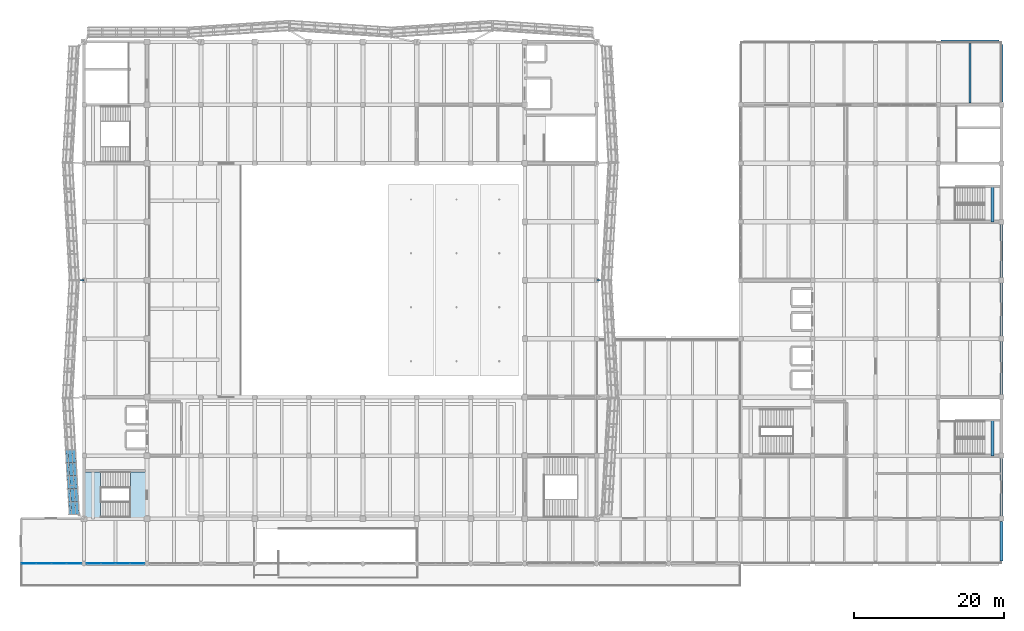
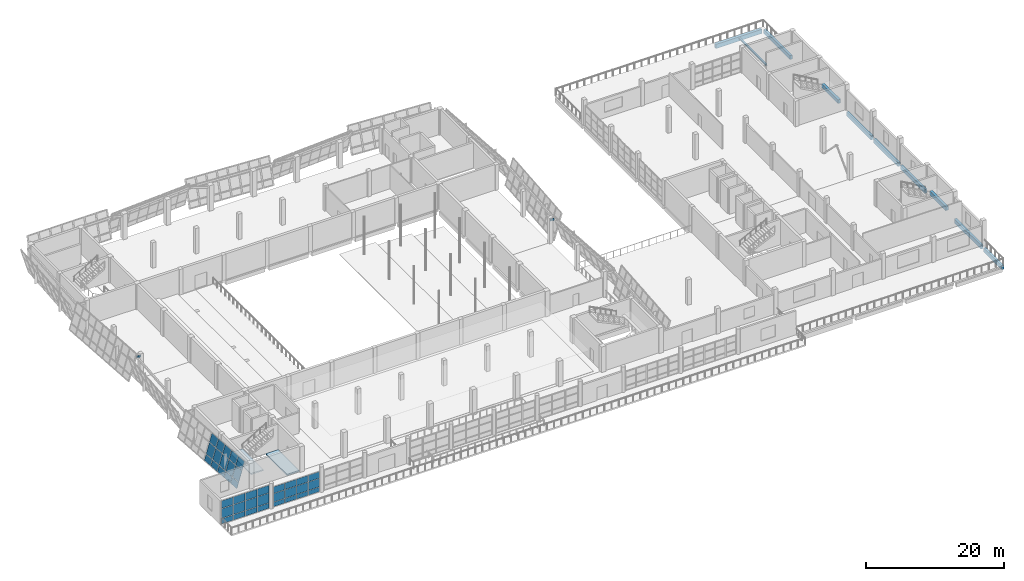
# One storey, part 37 of 71: 39 plates, 12 beams, 2 slabs, 4 elements without a shape of their own.
"""IFC4 building model written with IfcOpenShell, lengths in metres."""

from ifc_helpers import new_model, si_unit, direction, frame, origin, origin_2d, place, context, subcontext, project, spatial, polyline, rectangle, hollow_rectangle, i_section, outline, extrude, material, layer, layer_set, material_profile, profile_set, type_object, element, aggregate, save


model = new_model("IFC4")

# Units and contexts
model_context = context("Model", 3, precision=1e-05, world=origin(), true_north=direction((0.0, 1.0)))
body_context = subcontext(model_context, "Body", "Model", "MODEL_VIEW")
ifc_project = project(units=[si_unit("LENGTHUNIT", "METRE"), si_unit("AREAUNIT", "SQUARE_METRE"), si_unit("VOLUMEUNIT", "CUBIC_METRE"), si_unit("PLANEANGLEUNIT", "RADIAN"), si_unit("MASSUNIT", "GRAM", prefix="KILO")], contexts=[model_context])

# Site, building, storey
site_placement = place(None, origin())
site = spatial("IfcSite", under=ifc_project, at=site_placement, CompositionType="ELEMENT")
building_placement = place(site_placement, origin())
building = spatial("IfcBuilding", under=site, at=building_placement, Name="Pellamere Symphony Hall", CompositionType="ELEMENT")
storey_placement = place(building_placement, frame((0.0, 0.0, 15.0)))
storey = spatial("IfcBuildingStorey", under=building, at=storey_placement, Name="L03", CompositionType="ELEMENT", Elevation=15.0)

# Beams
ifc_material_1 = material(Name="Concrete 40 MPa", Category="concrete")
ifc_material_profile_1 = material_profile(ifc_material_1, rectangle(XDim=0.449951171875, YDim=0.64990234375, at=origin_2d()), Name="RC 450x650")
ifc_profile_set_1 = profile_set([ifc_material_profile_1], Name="Concrete 40 MPa")
beam_type_1 = type_object("IfcBeamType", Name="RC CB-08 450x650", PredefinedType="BEAM", material=ifc_profile_set_1)
for number, where, z_axis, x_axis, name in (
    (1, (171.607421875, 69.580078125, 1.705078125), (0.0, 1.0, 0.0), (-1.0, 0.0, 0.0), "Stair ST05-L03 Half Landing Support Beam (L03)"),
    (2, (171.607421875, 38.3798828125, 1.705078125), (0.0, 1.0, 0.0), (-1.0, 0.0, 0.0), "Stair ST06-L03 Half Landing Support Beam (L03)"),
):
    element("IfcBeam", number, at=place(storey_placement, frame(where, z_axis=z_axis, x_axis=x_axis)), inside=storey, type_object=beam_type_1, Name=name, PredefinedType="BEAM", context=body_context, shape_type="SweptSolid", body=[
        extrude(rectangle(XDim=0.449951171875, YDim=0.64990234375, at=origin_2d()), origin(), (0.0, 0.0, 1.0), 4.780029296875),
    ])
ifc_material_profile_2 = material_profile(ifc_material_1, rectangle(XDim=0.449951171875, YDim=0.75, at=origin_2d()), Name="RC 450x750")
ifc_profile_set_2 = profile_set([ifc_material_profile_2], Name="Concrete 40 MPa")
beam_type_2 = type_object("IfcBeamType", Name="RC CB-12 450x750", PredefinedType="SPANDREL", material=ifc_profile_set_2)
beam_1_placement = place(storey_placement, frame((164.72509765625, 93.60009765625, -0.635009765625), z_axis=(1.0, 0.0, 0.0), x_axis=(0.0, 1.0, 0.0)))
element("IfcBeam", 3, at=beam_1_placement, inside=storey, type_object=beam_type_2, Name="Girder CB-12-X1605 (L03)", PredefinedType="SPANDREL", context=body_context, shape_type="SweptSolid", body=[
    extrude(rectangle(XDim=0.449951171875, YDim=0.75, at=origin_2d()), origin(), (0.0, 0.0, 1.0), 7.71484375),
])
ifc_material_profile_3 = material_profile(ifc_material_1, rectangle(XDim=0.39990234375, YDim=0.699951171875, at=origin_2d()), Name="RC 400x700")
ifc_profile_set_3 = profile_set([ifc_material_profile_3], Name="Concrete 40 MPa")
beam_type_3 = type_object("IfcBeamType", Name="RC CB-13 400x700", PredefinedType="SPANDREL", material=ifc_profile_set_3)
beam_2_placement = place(storey_placement, frame((172.800048828125, 24.360107421875, -0.610107421875), z_axis=(0.0, 1.0, 0.0), x_axis=(-1.0, 0.0, 0.0)))
element("IfcBeam", 4, at=beam_2_placement, inside=storey, type_object=beam_type_3, Name="Girder CB-13-Y1706 (L03)", PredefinedType="SPANDREL", context=body_context, shape_type="SweptSolid", body=[
    extrude(rectangle(XDim=0.39990234375, YDim=0.699951171875, at=origin_2d()), origin(), (0.0, 0.0, 1.0), 5.27978515625),
])
beam_3_placement = place(storey_placement, frame((172.800048828125, 30.360107421875, -0.610107421875), z_axis=(0.0, 1.0, 0.0), x_axis=(-1.0, 0.0, 0.0)))
element("IfcBeam", 5, at=beam_3_placement, inside=storey, type_object=beam_type_3, Name="Girder CB-13-Y1707 (L03)", PredefinedType="SPANDREL", context=body_context, shape_type="SweptSolid", body=[
    extrude(rectangle(XDim=0.39990234375, YDim=0.699951171875, at=origin_2d()), origin(), (0.0, 0.0, 1.0), 7.679931640625),
])
for number, where, z_axis, x_axis, name in (
    (6, (172.800048828125, 46.56005859375, -0.610107421875), (0.0, 1.0, 0.0), (-1.0, 0.0, 0.0), "Girder CB-13-Y1708 (L03)"),
    (7, (172.800048828125, 54.360107421875, -0.610107421875), (0.0, 1.0, 0.0), (-1.0, 0.0, 0.0), "Girder CB-13-Y1709 (L03)"),
):
    element("IfcBeam", number, at=place(storey_placement, frame(where, z_axis=z_axis, x_axis=x_axis)), inside=storey, type_object=beam_type_3, Name=name, PredefinedType="SPANDREL", context=body_context, shape_type="SweptSolid", body=[
        extrude(rectangle(XDim=0.39990234375, YDim=0.699951171875, at=origin_2d()), origin(), (0.0, 0.0, 1.0), 7.079833984375),
    ])
beam_4_placement = place(storey_placement, frame((172.800048828125, 62.159912109375, -0.610107421875), z_axis=(0.0, 1.0, 0.0), x_axis=(-1.0, 0.0, 0.0)))
element("IfcBeam", 8, at=beam_4_placement, inside=storey, type_object=beam_type_3, Name="Girder CB-13-Y1710 (L03)", PredefinedType="SPANDREL", context=body_context, shape_type="SweptSolid", body=[
    extrude(rectangle(XDim=0.39990234375, YDim=0.699951171875, at=origin_2d()), origin(), (0.0, 0.0, 1.0), 7.080078125),
])
beam_5_placement = place(storey_placement, frame((172.800048828125, 85.56005859375, -0.610107421875), z_axis=(0.0, 1.0, 0.0), x_axis=(-1.0, 0.0, 0.0)))
element("IfcBeam", 9, at=beam_5_placement, inside=storey, type_object=beam_type_3, Name="Girder CB-13-Y1711 (L03)", PredefinedType="SPANDREL", context=body_context, shape_type="SweptSolid", body=[
    extrude(rectangle(XDim=0.39990234375, YDim=0.699951171875, at=origin_2d()), origin(), (0.0, 0.0, 1.0), 7.679931640625),
])
ifc_material_2 = material(Name="Steel CSA G40.21 350W", Category="steel")
ifc_material_profile_4 = material_profile(ifc_material_2, i_section(OverallWidth=0.25390625, OverallDepth=0.2529296875, WebThickness=0.008544921875, FlangeThickness=0.01416015625, at=origin_2d()), Name="W250X73")
ifc_profile_set_4 = profile_set([ifc_material_profile_4], Name="Steel CSA G40.21 350W")
beam_type_4 = type_object("IfcBeamType", Name="Steel Joist SB-24 W250X73", PredefinedType="JOIST", material=ifc_profile_set_4)
beam_6_placement = place(storey_placement, frame((168.60009765625, 85.43994140625, -0.401611328125), z_axis=(0.0, 1.0, 0.0), x_axis=(-1.0, 0.0, 0.0)))
element("IfcBeam", 10, at=beam_6_placement, inside=storey, type_object=beam_type_4, Name="Secondary Floor Beam SB-24-M2011 (L03)", PredefinedType="JOIST", context=body_context, shape_type="SweptSolid", body=[
    extrude(i_section(OverallWidth=0.25390625, OverallDepth=0.2529296875, WebThickness=0.008544921875, FlangeThickness=0.01416015625, at=origin_2d()), origin(), (0.0, 0.0, 1.0), 7.93505859375),
])
ifc_material_profile_5 = material_profile(ifc_material_2, hollow_rectangle(XDim=0.203125, YDim=0.3046875, WallThickness=0.0126953125, at=origin_2d()), Name="HSS305X203X13")
ifc_profile_set_5 = profile_set([ifc_material_profile_5], Name="Steel CSA G40.21 350W")
beam_type_5 = type_object("IfcBeamType", Name="Steel Spandrel SB-26 HSS305X203X13", PredefinedType="SPANDREL", material=ifc_profile_set_5)
for number, where, z_axis, x_axis, name in (
    (11, (118.800048828125, 61.800048828125, 3.93994140625), (1.0, 0.0, 0.0), (0.0, 1.0, 0.0), "Crystal Ring Outrigger Bracket 023 (L03)"),
    (12, (50.39990234375, 61.800048828125, 3.93994140625), (-1.0, 0.0, 0.0), (0.0, -1.0, 0.0), "Crystal Ring Outrigger Bracket 103 (L03)"),
):
    element("IfcBeam", number, at=place(storey_placement, frame(where, z_axis=z_axis, x_axis=x_axis)), inside=storey, type_object=beam_type_5, Name=name, PredefinedType="SPANDREL", context=body_context, shape_type="SweptSolid", body=[
        extrude(hollow_rectangle(XDim=0.203125, YDim=0.3046875, WallThickness=0.0126953125, at=origin_2d()), origin(), (0.0, 0.0, 1.0), 0.64990234375),
    ])

# Curtain wall, plates
ifc_material_3 = material(Name="Thermally Broken Anodised Aluminium 6063-T6 Curtain Wall", Category="aluminium")
curtain_wall_type_1 = type_object("IfcCurtainWallType", Name="Curtain Wall CW-02 (Winter-Garden South Concourse Curtain Wall)", PredefinedType="NOTDEFINED", material=ifc_material_3)
curtain_wall_1_placement = place(storey_placement, origin())
curtain_wall_1 = element("IfcCurtainWall", 13, at=curtain_wall_1_placement, inside=storey, type_object=curtain_wall_type_1, Name="Winter-Garden South Curtain Wall (L03 Bay 1)", PredefinedType="NOTDEFINED")
ifc_material_4 = material(Name="Triple Low-E Argon Acoustic Glazing 36mm", Category="glass")
ifc_layer_1 = layer(ifc_material_4, 0.035888671875, Name="Triple Low-E Argon Acoustic Glazing 36mm")
ifc_layer_set_1 = layer_set([ifc_layer_1], Name="Triple Low-E Argon Acoustic Glazing 36mm")
plate_type_1 = type_object("IfcPlateType", Name="Facade Panel GL-01 36mm", PredefinedType="CURTAIN_PANEL", material=ifc_layer_set_1)
plate_1_placement = place(storey_placement, frame((42.06494140625, 24.0, 0.06494140625), z_axis=(0.0, -1.0, 0.0), x_axis=(1.0, 0.0, 0.0)))
plate_1 = element("IfcPlate", 14, at=plate_1_placement, type_object=plate_type_1, Name="CW2-086 crystal glass panel 1.1", PredefinedType="CURTAIN_PANEL", context=body_context, shape_type="SweptSolid", body=[
    extrude(outline(polyline([(0.0, 0.0), (1.927490234375, 0.0), (1.927490234375, 0.91064453125), (0.0, 0.91064453125), (0.0, 0.0)])), origin(), (0.0, 0.0, -1.0), 0.035888671875),
])
plate_2_placement = place(storey_placement, frame((42.06494140625, 24.0, 1.04052734375), z_axis=(0.0, -1.0, 0.0), x_axis=(1.0, 0.0, 0.0)))
plate_2 = element("IfcPlate", 15, at=plate_2_placement, type_object=plate_type_1, Name="CW2-086 crystal glass panel 1.2", PredefinedType="CURTAIN_PANEL", context=body_context, shape_type="SweptSolid", body=[
    extrude(outline(polyline([(0.0, 0.0), (1.927490234375, 0.0), (1.927490234375, 1.698974609375), (0.0, 1.698974609375), (0.0, 0.0)])), origin(), (0.0, 0.0, -1.0), 0.035888671875),
])
plate_3_placement = place(storey_placement, frame((42.06494140625, 24.0, 2.804443359375), z_axis=(0.0, -1.0, 0.0), x_axis=(1.0, 0.0, 0.0)))
plate_3 = element("IfcPlate", 16, at=plate_3_placement, type_object=plate_type_1, Name="CW2-086 crystal glass panel 1.3", PredefinedType="CURTAIN_PANEL", context=body_context, shape_type="SweptSolid", body=[
    extrude(outline(polyline([(0.0, 0.0), (1.927490234375, 0.0), (1.927490234375, 1.33056640625), (0.0, 1.33056640625), (0.0, 0.0)])), origin(), (0.0, 0.0, -1.0), 0.035888671875),
])
plate_4_placement = place(storey_placement, frame((44.0576171875, 24.0, 0.06494140625), z_axis=(0.0, -1.0, 0.0), x_axis=(1.0, 0.0, 0.0)))
plate_4 = element("IfcPlate", 17, at=plate_4_placement, type_object=plate_type_1, Name="CW2-086 crystal glass panel 2.1", PredefinedType="CURTAIN_PANEL", context=body_context, shape_type="SweptSolid", body=[
    extrude(outline(polyline([(0.0, 0.0), (1.9599609375, 0.0), (1.9599609375, 0.91064453125), (0.0, 0.91064453125), (0.0, 0.0)])), origin(), (0.0, 0.0, -1.0), 0.035888671875),
])
plate_5_placement = place(storey_placement, frame((44.0576171875, 24.0, 1.04052734375), z_axis=(0.0, -1.0, 0.0), x_axis=(1.0, 0.0, 0.0)))
plate_5 = element("IfcPlate", 18, at=plate_5_placement, type_object=plate_type_1, Name="CW2-086 crystal glass panel 2.2", PredefinedType="CURTAIN_PANEL", context=body_context, shape_type="SweptSolid", body=[
    extrude(outline(polyline([(0.0, 0.0), (1.9599609375, 0.0), (1.9599609375, 1.698974609375), (0.0, 1.698974609375), (0.0, 0.0)])), origin(), (0.0, 0.0, -1.0), 0.035888671875),
])
plate_6_placement = place(storey_placement, frame((44.0576171875, 24.0, 2.804443359375), z_axis=(0.0, -1.0, 0.0), x_axis=(1.0, 0.0, 0.0)))
plate_6 = element("IfcPlate", 19, at=plate_6_placement, type_object=plate_type_1, Name="CW2-086 crystal glass panel 2.3", PredefinedType="CURTAIN_PANEL", context=body_context, shape_type="SweptSolid", body=[
    extrude(outline(polyline([(0.0, 0.0), (1.9599609375, 0.0), (1.9599609375, 1.33056640625), (0.0, 1.33056640625), (0.0, 0.0)])), origin(), (0.0, 0.0, -1.0), 0.035888671875),
])
plate_7_placement = place(storey_placement, frame((46.08251953125, 24.0, 0.06494140625), z_axis=(0.0, -1.0, 0.0), x_axis=(1.0, 0.0, 0.0)))
plate_7 = element("IfcPlate", 20, at=plate_7_placement, type_object=plate_type_1, Name="CW2-086 crystal glass panel 3.1", PredefinedType="CURTAIN_PANEL", context=body_context, shape_type="SweptSolid", body=[
    extrude(outline(polyline([(0.0, 0.0), (1.9599609375, 0.0), (1.9599609375, 0.91064453125), (0.0, 0.91064453125), (0.0, 0.0)])), origin(), (0.0, 0.0, -1.0), 0.035888671875),
])
plate_8_placement = place(storey_placement, frame((46.08251953125, 24.0, 1.04052734375), z_axis=(0.0, -1.0, 0.0), x_axis=(1.0, 0.0, 0.0)))
plate_8 = element("IfcPlate", 21, at=plate_8_placement, type_object=plate_type_1, Name="CW2-086 crystal glass panel 3.2", PredefinedType="CURTAIN_PANEL", context=body_context, shape_type="SweptSolid", body=[
    extrude(outline(polyline([(0.0, 0.0), (1.9599609375, 0.0), (1.9599609375, 1.698974609375), (0.0, 1.698974609375), (0.0, 0.0)])), origin(), (0.0, 0.0, -1.0), 0.035888671875),
])
plate_9_placement = place(storey_placement, frame((46.08251953125, 24.0, 2.804443359375), z_axis=(0.0, -1.0, 0.0), x_axis=(1.0, 0.0, 0.0)))
plate_9 = element("IfcPlate", 22, at=plate_9_placement, type_object=plate_type_1, Name="CW2-086 crystal glass panel 3.3", PredefinedType="CURTAIN_PANEL", context=body_context, shape_type="SweptSolid", body=[
    extrude(outline(polyline([(0.0, 0.0), (1.9599609375, 0.0), (1.9599609375, 1.33056640625), (0.0, 1.33056640625), (0.0, 0.0)])), origin(), (0.0, 0.0, -1.0), 0.035888671875),
])
plate_10_placement = place(storey_placement, frame((48.107421875, 24.0, 0.06494140625), z_axis=(0.0, -1.0, 0.0), x_axis=(1.0, 0.0, 0.0)))
plate_10 = element("IfcPlate", 23, at=plate_10_placement, type_object=plate_type_1, Name="CW2-086 crystal glass panel 4.1", PredefinedType="CURTAIN_PANEL", context=body_context, shape_type="SweptSolid", body=[
    extrude(outline(polyline([(0.0, 0.0), (1.927490234375, 0.0), (1.927490234375, 0.91064453125), (0.0, 0.91064453125), (0.0, 0.0)])), origin(), (0.0, 0.0, -1.0), 0.035888671875),
])
plate_11_placement = place(storey_placement, frame((48.107421875, 24.0, 1.04052734375), z_axis=(0.0, -1.0, 0.0), x_axis=(1.0, 0.0, 0.0)))
plate_11 = element("IfcPlate", 24, at=plate_11_placement, type_object=plate_type_1, Name="CW2-086 crystal glass panel 4.2", PredefinedType="CURTAIN_PANEL", context=body_context, shape_type="SweptSolid", body=[
    extrude(outline(polyline([(0.0, 0.0), (1.927490234375, 0.0), (1.927490234375, 1.698974609375), (0.0, 1.698974609375), (0.0, 0.0)])), origin(), (0.0, 0.0, -1.0), 0.035888671875),
])
plate_12_placement = place(storey_placement, frame((48.107421875, 24.0, 2.804443359375), z_axis=(0.0, -1.0, 0.0), x_axis=(1.0, 0.0, 0.0)))
plate_12 = element("IfcPlate", 25, at=plate_12_placement, type_object=plate_type_1, Name="CW2-086 crystal glass panel 4.3", PredefinedType="CURTAIN_PANEL", context=body_context, shape_type="SweptSolid", body=[
    extrude(outline(polyline([(0.0, 0.0), (1.927490234375, 0.0), (1.927490234375, 1.33056640625), (0.0, 1.33056640625), (0.0, 0.0)])), origin(), (0.0, 0.0, -1.0), 0.035888671875),
])
aggregate(curtain_wall_1, [plate_1, plate_2, plate_3, plate_4, plate_5, plate_6, plate_7, plate_8, plate_9, plate_10, plate_11, plate_12])

curtain_wall_2_placement = place(storey_placement, origin())
curtain_wall_2 = element("IfcCurtainWall", 26, at=curtain_wall_2_placement, inside=storey, type_object=curtain_wall_type_1, Name="Winter-Garden South Curtain Wall (L03 Bay 2)", PredefinedType="NOTDEFINED")
plate_13_placement = place(storey_placement, frame((50.764892578125, 24.0, 0.06494140625), z_axis=(0.0, -1.0, 0.0), x_axis=(1.0, 0.0, 0.0)))
plate_13 = element("IfcPlate", 27, at=plate_13_placement, type_object=plate_type_1, Name="CW2-087 crystal glass panel 1.1", PredefinedType="CURTAIN_PANEL", context=body_context, shape_type="SweptSolid", body=[
    extrude(outline(polyline([(0.0, 0.0), (1.8525390625, 0.0), (1.8525390625, 0.776123046875), (0.0, 0.776123046875), (0.0, 0.0)])), origin(), (0.0, 0.0, -1.0), 0.035888671875),
])
plate_14_placement = place(storey_placement, frame((50.764892578125, 24.0, 0.906005859375), z_axis=(0.0, -1.0, 0.0), x_axis=(1.0, 0.0, 0.0)))
plate_14 = element("IfcPlate", 28, at=plate_14_placement, type_object=plate_type_1, Name="CW2-087 crystal glass panel 1.2", PredefinedType="CURTAIN_PANEL", context=body_context, shape_type="SweptSolid", body=[
    extrude(outline(polyline([(0.0, 0.0), (1.8525390625, 0.0), (1.8525390625, 1.4638671875), (0.0, 1.4638671875), (0.0, 0.0)])), origin(), (0.0, 0.0, -1.0), 0.035888671875),
])
plate_15_placement = place(storey_placement, frame((50.764892578125, 24.0, 2.434814453125), z_axis=(0.0, -1.0, 0.0), x_axis=(1.0, 0.0, 0.0)))
plate_15 = element("IfcPlate", 29, at=plate_15_placement, type_object=plate_type_1, Name="CW2-087 crystal glass panel 1.3", PredefinedType="CURTAIN_PANEL", context=body_context, shape_type="SweptSolid", body=[
    extrude(outline(polyline([(0.0, 0.0), (1.8525390625, 0.0), (1.8525390625, 1.14013671875), (0.0, 1.14013671875), (0.0, 0.0)])), origin(), (0.0, 0.0, -1.0), 0.035888671875),
])
plate_16_placement = place(storey_placement, frame((52.6826171875, 24.0, 0.06494140625), z_axis=(0.0, -1.0, 0.0), x_axis=(1.0, 0.0, 0.0)))
plate_16 = element("IfcPlate", 30, at=plate_16_placement, type_object=plate_type_1, Name="CW2-087 crystal glass panel 2.1", PredefinedType="CURTAIN_PANEL", context=body_context, shape_type="SweptSolid", body=[
    extrude(outline(polyline([(0.0, 0.0), (1.884765625, 0.0), (1.884765625, 0.776123046875), (0.0, 0.776123046875), (0.0, 0.0)])), origin(), (0.0, 0.0, -1.0), 0.035888671875),
])
plate_17_placement = place(storey_placement, frame((52.6826171875, 24.0, 0.906005859375), z_axis=(0.0, -1.0, 0.0), x_axis=(1.0, 0.0, 0.0)))
plate_17 = element("IfcPlate", 31, at=plate_17_placement, type_object=plate_type_1, Name="CW2-087 crystal glass panel 2.2", PredefinedType="CURTAIN_PANEL", context=body_context, shape_type="SweptSolid", body=[
    extrude(outline(polyline([(0.0, 0.0), (1.884765625, 0.0), (1.884765625, 1.4638671875), (0.0, 1.4638671875), (0.0, 0.0)])), origin(), (0.0, 0.0, -1.0), 0.035888671875),
])
plate_18_placement = place(storey_placement, frame((52.6826171875, 24.0, 2.434814453125), z_axis=(0.0, -1.0, 0.0), x_axis=(1.0, 0.0, 0.0)))
plate_18 = element("IfcPlate", 32, at=plate_18_placement, type_object=plate_type_1, Name="CW2-087 crystal glass panel 2.3", PredefinedType="CURTAIN_PANEL", context=body_context, shape_type="SweptSolid", body=[
    extrude(outline(polyline([(0.0, 0.0), (1.884765625, 0.0), (1.884765625, 1.14013671875), (0.0, 1.14013671875), (0.0, 0.0)])), origin(), (0.0, 0.0, -1.0), 0.035888671875),
])
plate_19_placement = place(storey_placement, frame((54.632568359375, 24.0, 0.06494140625), z_axis=(0.0, -1.0, 0.0), x_axis=(1.0, 0.0, 0.0)))
plate_19 = element("IfcPlate", 33, at=plate_19_placement, type_object=plate_type_1, Name="CW2-087 crystal glass panel 3.1", PredefinedType="CURTAIN_PANEL", context=body_context, shape_type="SweptSolid", body=[
    extrude(outline(polyline([(0.0, 0.0), (1.885009765625, 0.0), (1.885009765625, 0.776123046875), (0.0, 0.776123046875), (0.0, 0.0)])), origin(), (0.0, 0.0, -1.0), 0.035888671875),
])
plate_20_placement = place(storey_placement, frame((54.632568359375, 24.0, 0.906005859375), z_axis=(0.0, -1.0, 0.0), x_axis=(1.0, 0.0, 0.0)))
plate_20 = element("IfcPlate", 34, at=plate_20_placement, type_object=plate_type_1, Name="CW2-087 crystal glass panel 3.2", PredefinedType="CURTAIN_PANEL", context=body_context, shape_type="SweptSolid", body=[
    extrude(outline(polyline([(0.0, 0.0), (1.885009765625, 0.0), (1.885009765625, 1.4638671875), (0.0, 1.4638671875), (0.0, 0.0)])), origin(), (0.0, 0.0, -1.0), 0.035888671875),
])
plate_21_placement = place(storey_placement, frame((54.632568359375, 24.0, 2.434814453125), z_axis=(0.0, -1.0, 0.0), x_axis=(1.0, 0.0, 0.0)))
plate_21 = element("IfcPlate", 35, at=plate_21_placement, type_object=plate_type_1, Name="CW2-087 crystal glass panel 3.3", PredefinedType="CURTAIN_PANEL", context=body_context, shape_type="SweptSolid", body=[
    extrude(outline(polyline([(0.0, 0.0), (1.885009765625, 0.0), (1.885009765625, 1.14013671875), (0.0, 1.14013671875), (0.0, 0.0)])), origin(), (0.0, 0.0, -1.0), 0.035888671875),
])
plate_22_placement = place(storey_placement, frame((56.58251953125, 24.0, 0.06494140625), z_axis=(0.0, -1.0, 0.0), x_axis=(1.0, 0.0, 0.0)))
plate_22 = element("IfcPlate", 36, at=plate_22_placement, type_object=plate_type_1, Name="CW2-087 crystal glass panel 4.1", PredefinedType="CURTAIN_PANEL", context=body_context, shape_type="SweptSolid", body=[
    extrude(outline(polyline([(0.0, 0.0), (1.8525390625, 0.0), (1.8525390625, 0.776123046875), (0.0, 0.776123046875), (0.0, 0.0)])), origin(), (0.0, 0.0, -1.0), 0.035888671875),
])
plate_23_placement = place(storey_placement, frame((56.58251953125, 24.0, 0.906005859375), z_axis=(0.0, -1.0, 0.0), x_axis=(1.0, 0.0, 0.0)))
plate_23 = element("IfcPlate", 37, at=plate_23_placement, type_object=plate_type_1, Name="CW2-087 crystal glass panel 4.2", PredefinedType="CURTAIN_PANEL", context=body_context, shape_type="SweptSolid", body=[
    extrude(outline(polyline([(0.0, 0.0), (1.8525390625, 0.0), (1.8525390625, 1.4638671875), (0.0, 1.4638671875), (0.0, 0.0)])), origin(), (0.0, 0.0, -1.0), 0.035888671875),
])
plate_24_placement = place(storey_placement, frame((56.58251953125, 24.0, 2.434814453125), z_axis=(0.0, -1.0, 0.0), x_axis=(1.0, 0.0, 0.0)))
plate_24 = element("IfcPlate", 38, at=plate_24_placement, type_object=plate_type_1, Name="CW2-087 crystal glass panel 4.3", PredefinedType="CURTAIN_PANEL", context=body_context, shape_type="SweptSolid", body=[
    extrude(outline(polyline([(0.0, 0.0), (1.8525390625, 0.0), (1.8525390625, 1.14013671875), (0.0, 1.14013671875), (0.0, 0.0)])), origin(), (0.0, 0.0, -1.0), 0.035888671875),
])
aggregate(curtain_wall_2, [plate_13, plate_14, plate_15, plate_16, plate_17, plate_18, plate_19, plate_20, plate_21, plate_22, plate_23, plate_24])

curtain_wall_type_2 = type_object("IfcCurtainWallType", Name="Curtain Wall CW-01 (Tilted Faceted Crystal Low-Iron Curtain Wall)", PredefinedType="NOTDEFINED", material=ifc_material_3)
curtain_wall_3_placement = place(storey_placement, origin())
curtain_wall_3 = element("IfcCurtainWall", 39, at=curtain_wall_3_placement, inside=storey, type_object=curtain_wall_type_2, Name="Crystal Faceted Curtain Wall CW-CR18 (L03)", PredefinedType="NOTDEFINED")
ifc_material_5 = material(Name="Triple Laminated Acoustic Crystal Glazing 42mm", Category="glass")
ifc_layer_2 = layer(ifc_material_5, 0.0419921875, Name="Triple Laminated Acoustic Crystal Glazing 42mm")
ifc_layer_set_2 = layer_set([ifc_layer_2], Name="Triple Laminated Acoustic Crystal Glazing 42mm")
plate_type_2 = type_object("IfcPlateType", Name="Facade Panel GL-02 42mm", PredefinedType="CURTAIN_PANEL", material=ifc_layer_set_2)
plate_25_placement = place(storey_placement, frame((47.9404296875, 39.129150390625, 0.072021484375), z_axis=(-0.957304871124, -0.05524267768, 0.283752762604), x_axis=(0.057610619545, -0.998339129012, 0.0)))
plate_25 = element("IfcPlate", 40, at=plate_25_placement, type_object=plate_type_2, Name="CW1-055 crystal glass panel 5.1", PredefinedType="CURTAIN_PANEL", context=body_context, shape_type="SweptSolid", body=[
    extrude(outline(polyline([(0.0, 0.0), (1.6612063149993754, 0.0), (1.677803124341095, 1.0135847182066644), (0.01659680934171927, 1.0135847182066644), (0.0, 0.0)])), origin(), (0.0, 0.0, -1.0), 0.0419921875),
])
plate_26_placement = place(storey_placement, frame((48.249755859375, 39.129150390625, 1.115966796875), z_axis=(-0.957351997497, -0.055245397176, 0.283593192759), x_axis=(0.057610619545, -0.998339129012, 0.0)))
plate_26 = element("IfcPlate", 41, at=plate_26_placement, type_object=plate_type_2, Name="CW1-055 crystal glass panel 5.2", PredefinedType="CURTAIN_PANEL", context=body_context, shape_type="SweptSolid", body=[
    extrude(outline(polyline([(0.0, 0.0), (1.6612063149993754, -3.469446951953614e-18), (1.6922339094127932, 1.8959542407330272), (0.031027594413417556, 1.8959542407330272), (0.0, 0.0)])), origin(), (0.0, 0.0, -1.0), 0.0419921875),
])
plate_27_placement = place(storey_placement, frame((48.8095703125, 39.129150390625, 3.005859375), z_axis=(-0.957330592308, -0.055244161959, 0.283665682802), x_axis=(0.057610619545, -0.998339129012, 0.0)))
plate_27 = element("IfcPlate", 42, at=plate_27_placement, type_object=plate_type_2, Name="CW1-055 crystal glass panel 5.3", PredefinedType="CURTAIN_PANEL", context=body_context, shape_type="SweptSolid", body=[
    extrude(outline(polyline([(0.0, 0.0), (1.6612063149993754, 0.0), (1.6854826649348056, 1.4830375166207674), (0.024276349935430055, 1.4830375166207674), (0.0, 0.0)])), origin(), (0.0, 0.0, -1.0), 0.0419921875),
])
plate_28_placement = place(storey_placement, frame((48.04052734375, 37.39599609375, 0.072021484375), z_axis=(-0.95737017047, -0.055246445874, 0.283531633003), x_axis=(0.057610619545, -0.998339129012, 0.0)))
plate_28 = element("IfcPlate", 43, at=plate_28_placement, type_object=plate_type_2, Name="CW1-055 crystal glass panel 6.1", PredefinedType="CURTAIN_PANEL", context=body_context, shape_type="SweptSolid", body=[
    extrude(outline(polyline([(0.0, 0.0), (1.6612063149993754, -3.469446951953614e-18), (1.6777890592484324, 1.0135155846352601), (0.0165827442490568, 1.0135155846352604), (0.0, 0.0)])), origin(), (0.0, 0.0, -1.0), 0.0419921875),
])
plate_29_placement = place(storey_placement, frame((48.349609375, 37.39599609375, 1.115966796875), z_axis=(-0.957351997497, -0.055245397176, 0.283593192759), x_axis=(0.057610619545, -0.998339129012, 0.0)))
plate_29 = element("IfcPlate", 44, at=plate_29_placement, type_object=plate_type_2, Name="CW1-055 crystal glass panel 6.2", PredefinedType="CURTAIN_PANEL", context=body_context, shape_type="SweptSolid", body=[
    extrude(outline(polyline([(0.0, 0.0), (1.6612063149993754, -3.469446951953614e-18), (1.6922339094127932, 1.8959542407330272), (0.031027594413417556, 1.8959542407330272), (0.0, 0.0)])), origin(), (0.0, 0.0, -1.0), 0.0419921875),
])
plate_30_placement = place(storey_placement, frame((48.90966796875, 37.39599609375, 3.005859375), z_axis=(-0.957375213306, -0.055246736879, 0.283514548147), x_axis=(0.057610619545, -0.998339129012, 0.0)))
plate_30 = element("IfcPlate", 45, at=plate_30_placement, type_object=plate_type_2, Name="CW1-055 crystal glass panel 6.3", PredefinedType="CURTAIN_PANEL", context=body_context, shape_type="SweptSolid", body=[
    extrude(outline(polyline([(0.0, 0.0), (1.6612063149993754, -6.938893903907228e-18), (1.685468599842143, 1.482968395744147), (0.02426228484276758, 1.482968395744147), (0.0, 0.0)])), origin(), (0.0, 0.0, -1.0), 0.0419921875),
])
plate_31_placement = place(storey_placement, frame((48.140380859375, 35.66259765625, 0.072021484375), z_axis=(-0.957304871124, -0.05524267768, 0.283752762604), x_axis=(0.057610619545, -0.998339129012, 0.0)))
plate_31 = element("IfcPlate", 46, at=plate_31_placement, type_object=plate_type_2, Name="CW1-055 crystal glass panel 7.1", PredefinedType="CURTAIN_PANEL", context=body_context, shape_type="SweptSolid", body=[
    extrude(outline(polyline([(0.0, 0.0), (1.6612063149993754, 0.0), (1.677803124341095, 1.0135847182066644), (0.01659680934171927, 1.0135847182066644), (0.0, 0.0)])), origin(), (0.0, 0.0, -1.0), 0.0419921875),
])
plate_32_placement = place(storey_placement, frame((48.44970703125, 35.66259765625, 1.115966796875), z_axis=(-0.957351997497, -0.055245397176, 0.283593192759), x_axis=(0.057610619545, -0.998339129012, 0.0)))
plate_32 = element("IfcPlate", 47, at=plate_32_placement, type_object=plate_type_2, Name="CW1-055 crystal glass panel 7.2", PredefinedType="CURTAIN_PANEL", context=body_context, shape_type="SweptSolid", body=[
    extrude(outline(polyline([(0.0, 0.0), (1.6612063149993754, -3.469446951953614e-18), (1.6922339094127932, 1.8959542407330272), (0.031027594413417556, 1.8959542407330272), (0.0, 0.0)])), origin(), (0.0, 0.0, -1.0), 0.0419921875),
])
plate_33_placement = place(storey_placement, frame((49.009521484375, 35.66259765625, 3.005859375), z_axis=(-0.957330592308, -0.055244161959, 0.283665682802), x_axis=(0.057610619545, -0.998339129012, 0.0)))
plate_33 = element("IfcPlate", 48, at=plate_33_placement, type_object=plate_type_2, Name="CW1-055 crystal glass panel 7.3", PredefinedType="CURTAIN_PANEL", context=body_context, shape_type="SweptSolid", body=[
    extrude(outline(polyline([(0.0, 0.0), (1.6612063149993754, 0.0), (1.6854826649348056, 1.4830375166207674), (0.024276349935430055, 1.4830375166207674), (0.0, 0.0)])), origin(), (0.0, 0.0, -1.0), 0.0419921875),
])
plate_34_placement = place(storey_placement, frame((48.240478515625, 33.92919921875, 0.072021484375), z_axis=(-0.95737017047, -0.055246445874, 0.283531633003), x_axis=(0.057610619545, -0.998339129012, 0.0)))
plate_34 = element("IfcPlate", 49, at=plate_34_placement, type_object=plate_type_2, Name="CW1-055 crystal glass panel 8.1", PredefinedType="CURTAIN_PANEL", context=body_context, shape_type="SweptSolid", body=[
    extrude(outline(polyline([(0.0, 0.0), (1.6612063149993754, -3.469446951953614e-18), (1.6777890592484324, 1.0135155846352601), (0.0165827442490568, 1.0135155846352604), (0.0, 0.0)])), origin(), (0.0, 0.0, -1.0), 0.0419921875),
])
plate_35_placement = place(storey_placement, frame((48.5498046875, 33.92919921875, 1.115966796875), z_axis=(-0.957351997497, -0.055245397176, 0.283593192759), x_axis=(0.057610619545, -0.998339129012, 0.0)))
plate_35 = element("IfcPlate", 50, at=plate_35_placement, type_object=plate_type_2, Name="CW1-055 crystal glass panel 8.2", PredefinedType="CURTAIN_PANEL", context=body_context, shape_type="SweptSolid", body=[
    extrude(outline(polyline([(0.0, 0.0), (1.6612063149993754, -3.469446951953614e-18), (1.6922339094127932, 1.8959542407330272), (0.031027594413417556, 1.8959542407330272), (0.0, 0.0)])), origin(), (0.0, 0.0, -1.0), 0.0419921875),
])
plate_36_placement = place(storey_placement, frame((49.109619140625, 33.92919921875, 3.005859375), z_axis=(-0.957375213306, -0.055246736879, 0.283514548147), x_axis=(0.057610619545, -0.998339129012, 0.0)))
plate_36 = element("IfcPlate", 51, at=plate_36_placement, type_object=plate_type_2, Name="CW1-055 crystal glass panel 8.3", PredefinedType="CURTAIN_PANEL", context=body_context, shape_type="SweptSolid", body=[
    extrude(outline(polyline([(0.0, 0.0), (1.6612063149993754, -6.938893903907228e-18), (1.685468599842143, 1.482968395744147), (0.02426228484276758, 1.482968395744147), (0.0, 0.0)])), origin(), (0.0, 0.0, -1.0), 0.0419921875),
])
plate_37_placement = place(storey_placement, frame((48.340576171875, 32.19580078125, 0.072021484375), z_axis=(-0.957371033771, -0.0552301711, 0.283531888675), x_axis=(0.057593652861, -0.998340107954, 0.0)))
plate_37 = element("IfcPlate", 52, at=plate_37_placement, type_object=plate_type_2, Name="CW1-055 crystal glass panel 9.1", PredefinedType="CURTAIN_PANEL", context=body_context, shape_type="SweptSolid", body=[
    extrude(outline(polyline([(0.0, 0.0), (1.6235445180063734, -6.938893903907228e-18), (1.6401223785345782, 1.0135156645290149), (0.016577860528204754, 1.0135156645290149), (0.0, 0.0)])), origin(), (0.0, 0.0, -1.0), 0.0419921875),
])
plate_38_placement = place(storey_placement, frame((48.649658203125, 32.19580078125, 1.115966796875), z_axis=(-0.95735286075, -0.055229122709, 0.283593448478), x_axis=(0.057593652861, -0.998340107954, 0.0)))
plate_38 = element("IfcPlate", 53, at=plate_38_placement, type_object=plate_type_2, Name="CW1-055 crystal glass panel 9.2", PredefinedType="CURTAIN_PANEL", context=body_context, shape_type="SweptSolid", body=[
    extrude(outline(polyline([(0.0, 0.0), (1.6235445180063734, 0.0), (1.6545629746011314, 1.8959543902528653), (0.031018456594758003, 1.8959543902528653), (0.0, 0.0)])), origin(), (0.0, 0.0, -1.0), 0.0419921875),
])
plate_39_placement = place(storey_placement, frame((49.20947265625, 32.19580078125, 3.005859375), z_axis=(-0.957349953804, -0.055301055473, 0.283589243827), x_axis=(0.057674617133, -0.99833543367, 2.0412799e-05)))
plate_39 = element("IfcPlate", 54, at=plate_39_placement, type_object=plate_type_2, Name="CW1-055 crystal glass panel 9.3", PredefinedType="CURTAIN_PANEL", context=body_context, shape_type="SweptSolid", body=[
    extrude(outline(polyline([(0.0, 0.0), (1.6235585930461192, 0.0), (1.6478768594305424, 1.4829674741897139), (0.024332347101496902, 1.4830365943220063), (0.0, 0.0)])), origin(), (0.0, 0.0, -1.0), 0.0419921875),
])
aggregate(curtain_wall_3, [plate_25, plate_26, plate_27, plate_28, plate_29, plate_30, plate_31, plate_32, plate_33, plate_34, plate_35, plate_36, plate_37, plate_38, plate_39])

# Stair, slabs
stair_type = type_object("IfcStairType", Name="Stair ST-B W2050", PredefinedType="HALF_TURN_STAIR", material=ifc_material_1)
stair_placement = place(storey_placement, origin())
stair = element("IfcStair", 55, at=stair_placement, inside=storey, type_object=stair_type, Name="Exit Stair ST01-L03 (L03 to L04)", PredefinedType="HALF_TURN_STAIR")
ifc_layer_3 = layer(ifc_material_1, 0.219970703125, Name="Concrete 40 MPa")
ifc_layer_set_3 = layer_set([ifc_layer_3], Name="Concrete 40 MPa")
slab_type = type_object("IfcSlabType", Name="Stair Landing SL-01 220mm", PredefinedType="LANDING", material=ifc_layer_set_3)
slab_1_placement = place(storey_placement, frame((0.0, 0.0, -0.219970703125)))
slab_1 = element("IfcSlab", 56, at=slab_1_placement, type_object=slab_type, Name="Stair ST01-L03 Bottom Landing (L03)", PredefinedType="LANDING", context=body_context, shape_type="SweptSolid", body=[
    extrude(outline(polyline([(56.574951171875, 30.159912109375), (58.639892578125, 30.159912109375), (58.639892578125, 36.239990234375), (56.574951171875, 36.239990234375), (56.574951171875, 30.159912109375)])), origin(), (0.0, 0.0, 1.0), 0.219970703125),
])
slab_2_placement = place(storey_placement, frame((0.0, 0.0, 2.030029296875)))
slab_2 = element("IfcSlab", 57, at=slab_2_placement, type_object=slab_type, Name="Stair ST01-L03 Half Landing (L03)", PredefinedType="LANDING", context=body_context, shape_type="SweptSolid", body=[
    extrude(outline(polyline([(50.56005859375, 30.159912109375), (52.625, 30.159912109375), (52.625, 36.239990234375), (50.56005859375, 36.239990234375), (50.56005859375, 30.159912109375)])), origin(), (0.0, 0.0, 1.0), 0.219970703125),
])
aggregate(stair, [slab_1, slab_2])

save(model, "model.ifc")
